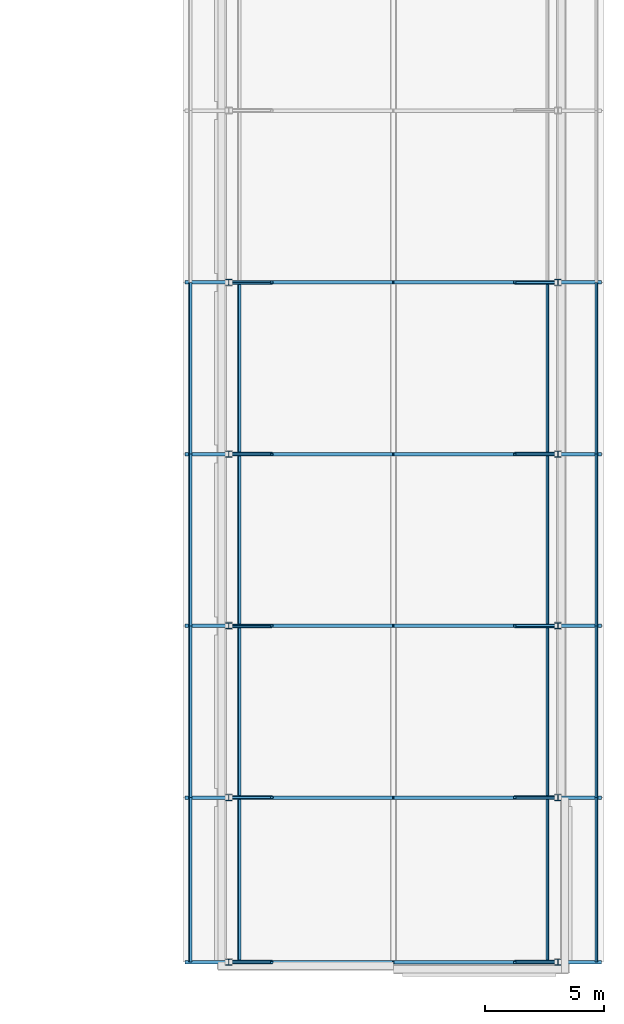
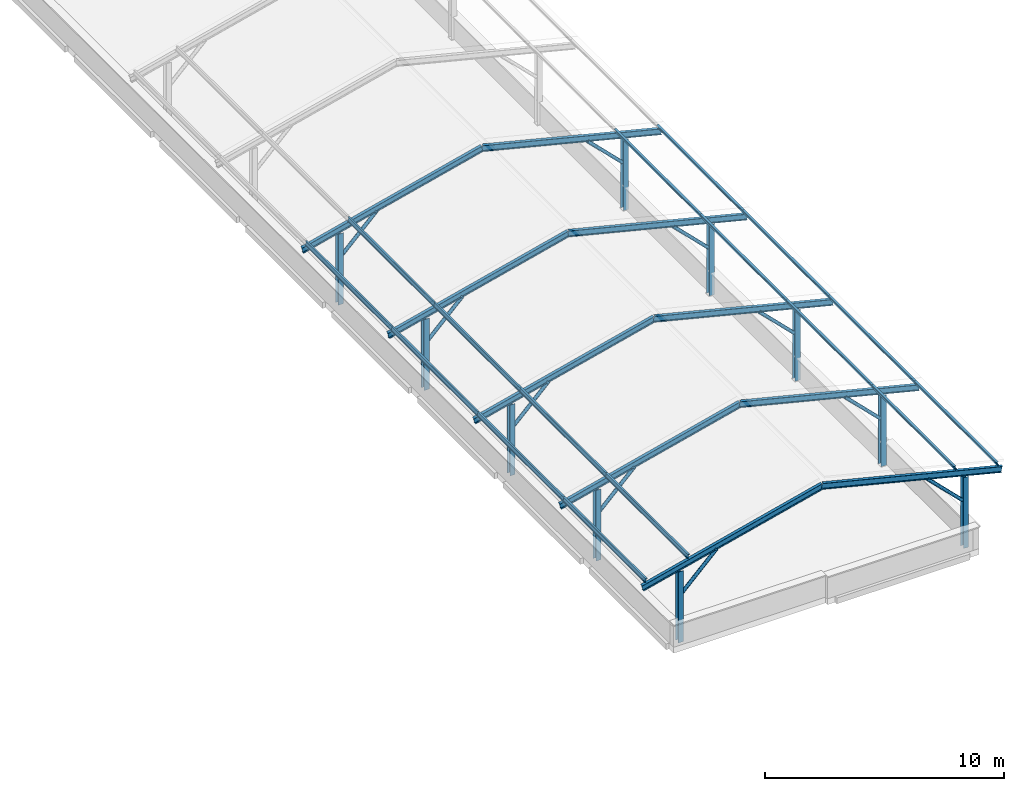
# One storey, part 15 of 30: 46 members.
"""IFC4 building model written with IfcOpenShell, lengths in metres."""

from ifc_helpers import new_model, si_unit, direction, frame, origin, origin_2d, place, context, subcontext, project, spatial, hollow_circle, i_section, extrude, material, material_profile, profile_set, type_object, element, save


model = new_model("IFC4")

# Units and contexts
model_context = context("Model", 3, precision=1e-05, world=origin(), true_north=direction((0.0, 1.0)))
body_context = subcontext(model_context, "Body", "Model", "MODEL_VIEW")
ifc_project = project(units=[si_unit("LENGTHUNIT", "METRE"), si_unit("AREAUNIT", "SQUARE_METRE"), si_unit("VOLUMEUNIT", "CUBIC_METRE"), si_unit("PLANEANGLEUNIT", "RADIAN"), si_unit("MASSUNIT", "GRAM", prefix="KILO")], contexts=[model_context])

# Site, building, storey
site_placement = place(None, origin())
site = spatial("IfcSite", under=ifc_project, at=site_placement, CompositionType="ELEMENT")
building_placement = place(site_placement, origin())
building = spatial("IfcBuilding", under=site, at=building_placement, Name="Silangan Lancet Faculty of Sciences", CompositionType="ELEMENT")
storey_placement = place(building_placement, frame((0.0, 0.0, 31.199951171875)))
storey = spatial("IfcBuildingStorey", under=building, at=storey_placement, Name="L06", CompositionType="ELEMENT", Elevation=31.199951171875)

# Members
ifc_material_1 = material(Name="Steel SS400", Category="steel")
ifc_material_profile_1 = material_profile(ifc_material_1, i_section(OverallWidth=0.25, OverallDepth=0.25, WebThickness=0.009033203125, FlangeThickness=0.013916015625, FilletRadius=0.01611328125, at=origin_2d()), Name="H 250x250x9x14")
ifc_profile_set_1 = profile_set([ifc_material_profile_1], Name="Steel SS400")
member_type_1 = type_object("IfcMemberType", Name="Canopy post H 250x250x9x14", PredefinedType="POST", material=ifc_profile_set_1)
for number, where, z_axis, x_axis, name in (
    (1, (72.300048828125, 0.300048828125, 0.0), (0.0, 0.0, 1.0), (1.0, 0.0, 0.0), "Canopy post 1W"),
    (2, (86.10009765625, 0.300048828125, 0.0), (0.0, 0.0, 1.0), (1.0, 0.0, 0.0), "Canopy post 1E"),
    (3, (72.300048828125, 7.199951171875, 0.0), (0.0, 0.0, 1.0), (1.0, 0.0, 0.0), "Canopy post 2W"),
    (4, (86.10009765625, 7.199951171875, 0.0), (0.0, 0.0, 1.0), (1.0, 0.0, 0.0), "Canopy post 2E"),
    (5, (72.300048828125, 14.39990234375, 0.0), (0.0, 0.0, 1.0), (1.0, 0.0, 0.0), "Canopy post 3W"),
    (6, (86.10009765625, 14.39990234375, 0.0), (0.0, 0.0, 1.0), (1.0, 0.0, 0.0), "Canopy post 3E"),
    (7, (72.300048828125, 21.60009765625, 0.0), (0.0, 0.0, 1.0), (1.0, 0.0, 0.0), "Canopy post 4W"),
    (8, (86.10009765625, 21.60009765625, 0.0), (0.0, 0.0, 1.0), (1.0, 0.0, 0.0), "Canopy post 4E"),
    (9, (72.300048828125, 28.800048828125, 0.0), (0.0, 0.0, 1.0), (1.0, 0.0, 0.0), "Canopy post 5W"),
    (10, (86.10009765625, 28.800048828125, 0.0), (0.0, 0.0, 1.0), (1.0, 0.0, 0.0), "Canopy post 5E"),
):
    element("IfcMember", number, at=place(storey_placement, frame(where, z_axis=z_axis, x_axis=x_axis)), inside=storey, type_object=member_type_1, Name=name, PredefinedType="POST", context=body_context, shape_type="SweptSolid", body=[
        extrude(i_section(OverallWidth=0.25, OverallDepth=0.25, WebThickness=0.009033203125, FlangeThickness=0.013916015625, FilletRadius=0.01611328125, at=origin_2d()), origin(), (0.0, 0.0, 1.0), 3.6201171875),
    ])
ifc_material_2 = material(Name="Steel SS400", Category="steel")
ifc_material_profile_2 = material_profile(ifc_material_2, i_section(OverallWidth=0.14990234375, OverallDepth=0.300048828125, WebThickness=0.006591796875, FlangeThickness=0.009033203125, FilletRadius=0.012939453125, at=origin_2d()), Name="H 300x150x6.5x9")
ifc_profile_set_2 = profile_set([ifc_material_profile_2], Name="Steel SS400")
member_type_2 = type_object("IfcMemberType", Name="Canopy rafter H 300x150x6.5x9", PredefinedType="RAFTER", material=ifc_profile_set_2)
for number, where, z_axis, x_axis, name in (
    (11, (70.5, 0.300048828125, 3.345947265625), (0.97014089869, 0.0, 0.242542030768), (0.0, 1.0, 0.0), "Canopy rafter 1W"),
    (12, (87.89990234375, 0.300048828125, 3.345947265625), (-0.97014089869, 0.0, 0.242542030768), (0.0, -1.0, 0.0), "Canopy rafter 1E"),
    (13, (70.5, 7.199951171875, 3.345947265625), (0.97014089869, 0.0, 0.242542030768), (0.0, 1.0, 0.0), "Canopy rafter 2W"),
    (14, (87.89990234375, 7.199951171875, 3.345947265625), (-0.97014089869, 0.0, 0.242542030768), (0.0, -1.0, 0.0), "Canopy rafter 2E"),
    (15, (70.5, 14.39990234375, 3.345947265625), (0.97014089869, 0.0, 0.242542030768), (0.0, 1.0, 0.0), "Canopy rafter 3W"),
    (16, (87.89990234375, 14.39990234375, 3.345947265625), (-0.97014089869, 0.0, 0.242542030768), (0.0, -1.0, 0.0), "Canopy rafter 3E"),
    (17, (70.5, 21.60009765625, 3.345947265625), (0.97014089869, 0.0, 0.242542030768), (0.0, 1.0, 0.0), "Canopy rafter 4W"),
    (18, (87.89990234375, 21.60009765625, 3.345947265625), (-0.97014089869, 0.0, 0.242542030768), (0.0, -1.0, 0.0), "Canopy rafter 4E"),
    (19, (70.5, 28.800048828125, 3.345947265625), (0.97014089869, 0.0, 0.242542030768), (0.0, 1.0, 0.0), "Canopy rafter 5W"),
    (20, (87.89990234375, 28.800048828125, 3.345947265625), (-0.97014089869, 0.0, 0.242542030768), (0.0, -1.0, 0.0), "Canopy rafter 5E"),
):
    element("IfcMember", number, at=place(storey_placement, frame(where, z_axis=z_axis, x_axis=x_axis)), inside=storey, type_object=member_type_2, Name=name, PredefinedType="RAFTER", context=body_context, shape_type="SweptSolid", body=[
        extrude(i_section(OverallWidth=0.14990234375, OverallDepth=0.300048828125, WebThickness=0.006591796875, FlangeThickness=0.009033203125, FilletRadius=0.012939453125, at=origin_2d()), origin(), (0.0, 0.0, 1.0), 8.9677734375),
    ])
ifc_material_3 = material(Name="Steel SS400", Category="steel")
ifc_material_profile_3 = material_profile(ifc_material_3, i_section(OverallWidth=0.10009765625, OverallDepth=0.199951171875, WebThickness=0.005615234375, FlangeThickness=0.008056640625, FilletRadius=0.008056640625, at=origin_2d()), Name="H 200x100x5.5x8")
ifc_profile_set_3 = profile_set([ifc_material_profile_3], Name="Steel SS400")
member_type_3 = type_object("IfcMemberType", Name="Sheeting purlin H 200x100x5.5x8", PredefinedType="PURLIN", material=ifc_profile_set_3)
for number, where, z_axis, x_axis, name in (
    (21, (70.681884765625, 0.300048828125, 3.649169921875), (0.0, 1.0, 0.0), (-0.970142502126, 0.0, 0.242535617113), "Canopy purlin 1W1"),
    (22, (72.735595703125, 0.300048828125, 4.16259765625), (0.0, 1.0, 0.0), (-0.970142502126, 0.0, 0.242535617113), "Canopy purlin 1W2"),
    (23, (87.718017578125, 0.300048828125, 3.649169921875), (0.0, 1.0, 0.0), (-0.970142502126, 0.0, -0.242535617113), "Canopy purlin 1E1"),
    (24, (85.664306640625, 0.300048828125, 4.16259765625), (0.0, 1.0, 0.0), (-0.970142502126, 0.0, -0.242535617113), "Canopy purlin 1E2"),
):
    element("IfcMember", number, at=place(storey_placement, frame(where, z_axis=z_axis, x_axis=x_axis)), inside=storey, type_object=member_type_3, Name=name, PredefinedType="PURLIN", context=body_context, shape_type="SweptSolid", body=[
        extrude(i_section(OverallWidth=0.10009765625, OverallDepth=0.199951171875, WebThickness=0.005615234375, FlangeThickness=0.008056640625, FilletRadius=0.008056640625, at=origin_2d()), origin(), (0.0, 0.0, 1.0), 6.89990234375),
    ])
for number, where, z_axis, x_axis, name in (
    (25, (70.681884765625, 7.199951171875, 3.649169921875), (0.0, 1.0, 0.0), (-0.970142502126, 0.0, 0.242535617113), "Canopy purlin 2W1"),
    (26, (72.735595703125, 7.199951171875, 4.16259765625), (0.0, 1.0, 0.0), (-0.970142502126, 0.0, 0.242535617113), "Canopy purlin 2W2"),
    (27, (87.718017578125, 7.199951171875, 3.649169921875), (0.0, 1.0, 0.0), (-0.970142502126, 0.0, -0.242535617113), "Canopy purlin 2E1"),
    (28, (85.664306640625, 7.199951171875, 4.16259765625), (0.0, 1.0, 0.0), (-0.970142502126, 0.0, -0.242535617113), "Canopy purlin 2E2"),
):
    element("IfcMember", number, at=place(storey_placement, frame(where, z_axis=z_axis, x_axis=x_axis)), inside=storey, type_object=member_type_3, Name=name, PredefinedType="PURLIN", context=body_context, shape_type="SweptSolid", body=[
        extrude(i_section(OverallWidth=0.10009765625, OverallDepth=0.199951171875, WebThickness=0.005615234375, FlangeThickness=0.008056640625, FilletRadius=0.008056640625, at=origin_2d()), origin(), (0.0, 0.0, 1.0), 7.199951171875),
    ])
for number, where, z_axis, x_axis, name in (
    (29, (70.681884765625, 14.39990234375, 3.649169921875), (0.0, 1.0, 0.0), (-0.970142502126, 0.0, 0.242535617113), "Canopy purlin 3W1"),
    (30, (72.735595703125, 14.39990234375, 4.16259765625), (0.0, 1.0, 0.0), (-0.970142502126, 0.0, 0.242535617113), "Canopy purlin 3W2"),
    (31, (87.718017578125, 14.39990234375, 3.649169921875), (0.0, 1.0, 0.0), (-0.970142502126, 0.0, -0.242535617113), "Canopy purlin 3E1"),
    (32, (85.664306640625, 14.39990234375, 4.16259765625), (0.0, 1.0, 0.0), (-0.970142502126, 0.0, -0.242535617113), "Canopy purlin 3E2"),
):
    element("IfcMember", number, at=place(storey_placement, frame(where, z_axis=z_axis, x_axis=x_axis)), inside=storey, type_object=member_type_3, Name=name, PredefinedType="PURLIN", context=body_context, shape_type="SweptSolid", body=[
        extrude(i_section(OverallWidth=0.10009765625, OverallDepth=0.199951171875, WebThickness=0.005615234375, FlangeThickness=0.008056640625, FilletRadius=0.008056640625, at=origin_2d()), origin(), (0.0, 0.0, 1.0), 7.2001953125),
    ])
for number, where, z_axis, x_axis, name in (
    (33, (70.681884765625, 21.60009765625, 3.649169921875), (0.0, 1.0, 0.0), (-0.970142502126, 0.0, 0.242535617113), "Canopy purlin 4W1"),
    (34, (72.735595703125, 21.60009765625, 4.16259765625), (0.0, 1.0, 0.0), (-0.970142502126, 0.0, 0.242535617113), "Canopy purlin 4W2"),
    (35, (87.718017578125, 21.60009765625, 3.649169921875), (0.0, 1.0, 0.0), (-0.970142502126, 0.0, -0.242535617113), "Canopy purlin 4E1"),
    (36, (85.664306640625, 21.60009765625, 4.16259765625), (0.0, 1.0, 0.0), (-0.970142502126, 0.0, -0.242535617113), "Canopy purlin 4E2"),
):
    element("IfcMember", number, at=place(storey_placement, frame(where, z_axis=z_axis, x_axis=x_axis)), inside=storey, type_object=member_type_3, Name=name, PredefinedType="PURLIN", context=body_context, shape_type="SweptSolid", body=[
        extrude(i_section(OverallWidth=0.10009765625, OverallDepth=0.199951171875, WebThickness=0.005615234375, FlangeThickness=0.008056640625, FilletRadius=0.008056640625, at=origin_2d()), origin(), (0.0, 0.0, 1.0), 7.199951171875),
    ])
ifc_material_4 = material(Name="Steel STK400", Category="steel")
ifc_material_profile_4 = material_profile(ifc_material_4, hollow_circle(Radius=0.08251953125, WallThickness=0.0048828125, at=origin_2d()), Name="CHS 165.2x5.0")
ifc_profile_set_4 = profile_set([ifc_material_profile_4], Name="Steel STK400")
member_type_4 = type_object("IfcMemberType", Name="Truss diagonal CHS 165.2x5.0", PredefinedType="BRACE", material=ifc_profile_set_4)
for number, where, z_axis, x_axis, name in (
    (37, (72.425048828125, 0.300048828125, 2.420166015625), (0.709263675444, 0.0, 0.704943287574), (0.0, 1.0, 0.0), "Canopy knee brace 1W"),
    (38, (85.97509765625, 0.300048828125, 2.420166015625), (-0.709263675444, 0.0, 0.704943287574), (0.0, -1.0, 0.0), "Canopy knee brace 1E"),
    (39, (72.425048828125, 7.199951171875, 2.420166015625), (0.709263675444, 0.0, 0.704943287574), (0.0, 1.0, 0.0), "Canopy knee brace 2W"),
    (40, (85.97509765625, 7.199951171875, 2.420166015625), (-0.709263675444, 0.0, 0.704943287574), (0.0, -1.0, 0.0), "Canopy knee brace 2E"),
    (41, (72.425048828125, 14.39990234375, 2.420166015625), (0.709263675444, 0.0, 0.704943287574), (0.0, 1.0, 0.0), "Canopy knee brace 3W"),
    (42, (85.97509765625, 14.39990234375, 2.420166015625), (-0.709263675444, 0.0, 0.704943287574), (0.0, -1.0, 0.0), "Canopy knee brace 3E"),
    (43, (72.425048828125, 21.60009765625, 2.420166015625), (0.709263675444, 0.0, 0.704943287574), (0.0, 1.0, 0.0), "Canopy knee brace 4W"),
    (44, (85.97509765625, 21.60009765625, 2.420166015625), (-0.709263675444, 0.0, 0.704943287574), (0.0, -1.0, 0.0), "Canopy knee brace 4E"),
    (45, (72.425048828125, 28.800048828125, 2.420166015625), (0.709263675444, 0.0, 0.704943287574), (0.0, 1.0, 0.0), "Canopy knee brace 5W"),
    (46, (85.97509765625, 28.800048828125, 2.420166015625), (-0.709263675444, 0.0, 0.704943287574), (0.0, -1.0, 0.0), "Canopy knee brace 5E"),
):
    element("IfcMember", number, at=place(storey_placement, frame(where, z_axis=z_axis, x_axis=x_axis)), inside=storey, type_object=member_type_4, Name=name, PredefinedType="BRACE", context=body_context, shape_type="SweptSolid", body=[
        extrude(hollow_circle(Radius=0.08251953125, WallThickness=0.0048828125, at=origin_2d()), origin(), (0.0, 0.0, 1.0), 2.373291015625),
    ])

save(model, "model.ifc")
